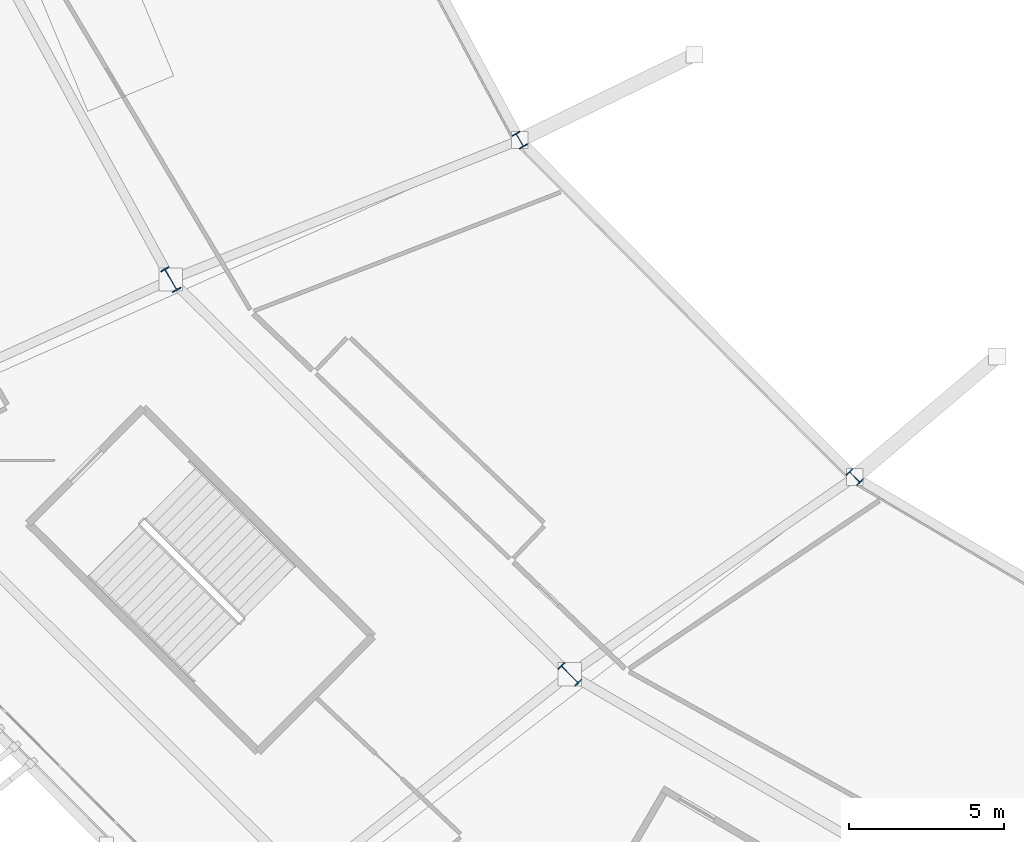
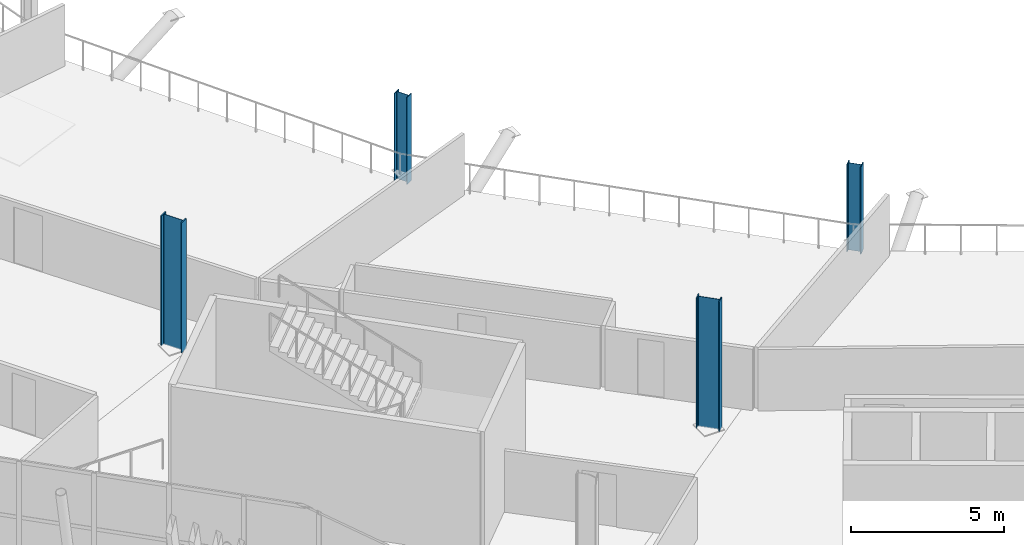
# One storey, part 3 of 168: 4 columns.
"""IFC4 building model written with IfcOpenShell, lengths in metres."""

from ifc_helpers import new_model, si_unit, direction, frame, origin, origin_2d, place, context, subcontext, project, spatial, i_section, extrude, material, material_profile, profile_set, type_object, element, save


model = new_model("IFC4")

# Units and contexts
model_context = context("Model", 3, precision=1e-05, world=origin(), true_north=direction((0.0, 1.0)))
body_context = subcontext(model_context, "Body", "Model", "MODEL_VIEW")
ifc_project = project(units=[si_unit("LENGTHUNIT", "METRE"), si_unit("AREAUNIT", "SQUARE_METRE"), si_unit("VOLUMEUNIT", "CUBIC_METRE"), si_unit("PLANEANGLEUNIT", "RADIAN"), si_unit("MASSUNIT", "GRAM", prefix="KILO")], contexts=[model_context])

# Site, building, storey
site_placement = place(None, origin())
site = spatial("IfcSite", under=ifc_project, at=site_placement, CompositionType="ELEMENT")
building_placement = place(site_placement, origin())
building = spatial("IfcBuilding", under=site, at=building_placement, Name="Zlatoyarsky Gate Stadium", CompositionType="ELEMENT")
storey_placement = place(building_placement, frame((0.0, 0.0, 15.60009765625)))
storey = spatial("IfcBuildingStorey", under=building, at=storey_placement, Name="L03", CompositionType="ELEMENT", Elevation=15.60009765625)

# Columns
ifc_material = material(Name="Steel S355", Category="steel")
ifc_material_profile_1 = material_profile(ifc_material, i_section(OverallWidth=0.300048828125, OverallDepth=0.5, WebThickness=0.014404296875, FlangeThickness=0.028076171875, FilletRadius=0.027099609375, at=origin_2d()), Name="HEB 500")
ifc_profile_set_1 = profile_set([ifc_material_profile_1], Name="Steel S355")
column_type_1 = type_object("IfcColumnType", Name="STEEL COLUMN HEB 500", PredefinedType="COLUMN", material=ifc_profile_set_1)
for number, where, z_axis, x_axis, name in (
    (1, (52.1103515625, 53.75, 0.0), (0.0, 0.0, 1.0), (-0.866025403784, -0.5, 0.0), "Column ST-C500 RA-14 on L03"),
    (2, (62.916748046875, 42.876953125, 0.0), (0.0, 0.0, 1.0), (-0.707106781187, -0.707106781187, 0.0), "Column ST-C500 RA-15 on L03"),
):
    element("IfcColumn", number, at=place(storey_placement, frame(where, z_axis=z_axis, x_axis=x_axis)), inside=storey, type_object=column_type_1, Name=name, PredefinedType="COLUMN", context=body_context, shape_type="SweptSolid", body=[
        extrude(i_section(OverallWidth=0.300048828125, OverallDepth=0.5, WebThickness=0.014404296875, FlangeThickness=0.028076171875, FilletRadius=0.027099609375, at=origin_2d()), origin(), (0.0, 0.0, 1.0), 3.47998046875),
    ])
ifc_material_profile_2 = material_profile(ifc_material, i_section(OverallWidth=0.300048828125, OverallDepth=0.800048828125, WebThickness=0.017578125, FlangeThickness=0.032958984375, FilletRadius=0.030029296875, at=origin_2d()), Name="HEB 800")
ifc_profile_set_2 = profile_set([ifc_material_profile_2], Name="Steel S355")
column_type_2 = type_object("IfcColumnType", Name="STEEL COLUMN HEB 800", PredefinedType="COLUMN", material=ifc_profile_set_2)
for number, where, z_axis, x_axis, name in (
    (3, (40.851806640625, 49.25, 0.0), (0.0, 0.0, 1.0), (-0.866025403784, -0.5, 0.0), "Column ST-C800 RB-14 on L03"),
    (4, (53.724365234375, 36.512939453125, 0.0), (0.0, 0.0, 1.0), (-0.707106781187, -0.707106781187, 0.0), "Column ST-C800 RB-15 on L03"),
):
    element("IfcColumn", number, at=place(storey_placement, frame(where, z_axis=z_axis, x_axis=x_axis)), inside=storey, type_object=column_type_2, Name=name, PredefinedType="COLUMN", context=body_context, shape_type="SweptSolid", body=[
        extrude(i_section(OverallWidth=0.300048828125, OverallDepth=0.800048828125, WebThickness=0.017578125, FlangeThickness=0.032958984375, FilletRadius=0.030029296875, at=origin_2d()), origin(), (0.0, 0.0, 1.0), 5.199951171875),
    ])

save(model, "model.ifc")
